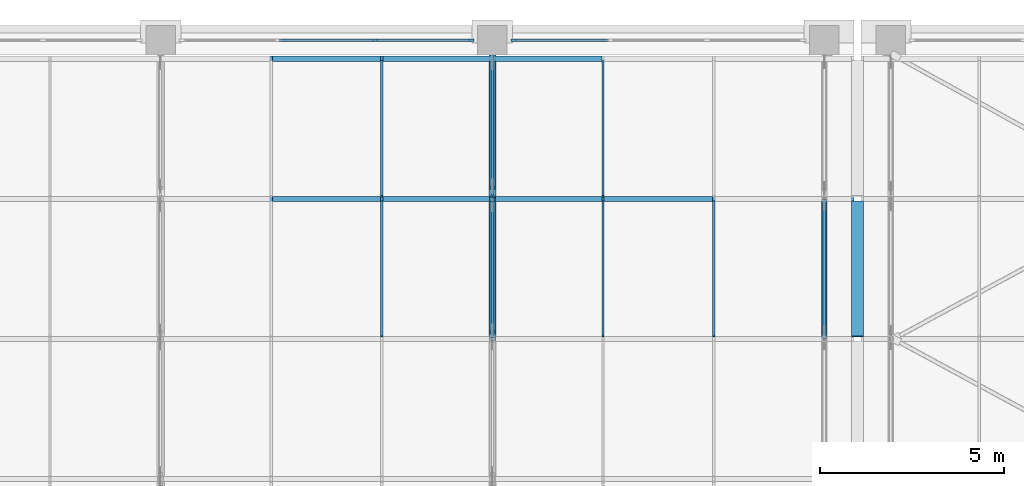
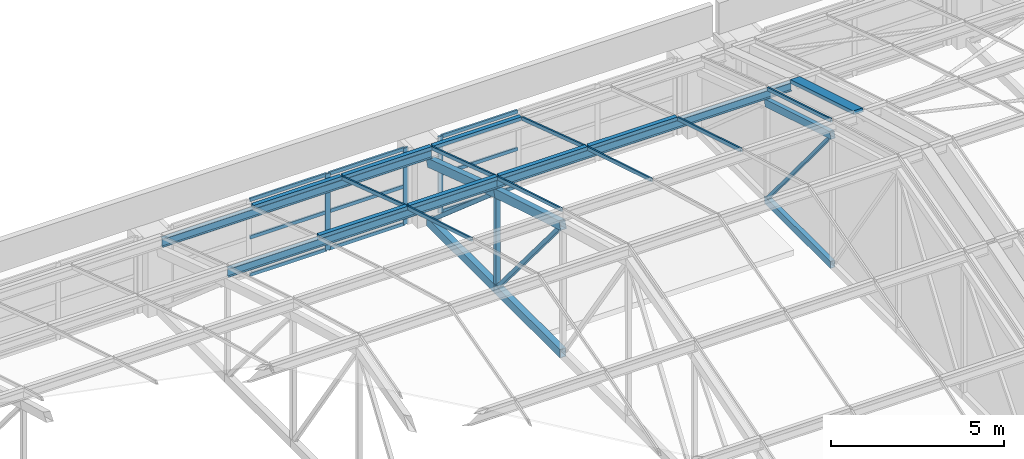
# One storey, part 27 of 82: 41 members, 3 elements without a shape of their own.
"""IFC4 building model written with IfcOpenShell, lengths in metres."""

import ifcopenshell
import ifcopenshell.guid

model = None  # the IFC model being written
_history = None  # IfcOwnerHistory: only IFC2X3 demands one
_inside = {}  # id of a spatial element -> (the spatial element, [elements in it])
_under = {}  # id of a project, library or spatial element -> (it, [spatial elements below it])
_declared = {}  # id of a project -> (the project, [libraries it declares])
_typed = {}  # id of a type object -> (the type object, [elements of that type])
_made_of = {}  # id of a material, layer set ... -> (it, [elements and type objects made of it])


def new_model(schema):
    """Start an empty IFC model of exactly this schema.

    Asked for "IFC4X3", IfcOpenShell would pick the latest addendum, in which some entities
    have other attributes; the version numbers below select the first issue.
    IFC2X3 requires an IfcOwnerHistory on every rooted entity: one is made here for all.
    """
    global model, _history
    if schema == "IFC4X3":
        model = ifcopenshell.file(schema_version=(4, 3, 0, 0))
    else:
        model = ifcopenshell.file(schema=schema)
    _inside.clear()
    _under.clear()
    _declared.clear()
    _typed.clear()
    _made_of.clear()
    _history = None
    if model.schema == "IFC2X3":
        org = make("IfcOrganization", Name="unknown")
        user = make(
            "IfcPersonAndOrganization",
            ThePerson=make("IfcPerson", FamilyName="unknown"),
            TheOrganization=org,
        )
        app = make(
            "IfcApplication",
            ApplicationDeveloper=org,
            Version="unknown",
            ApplicationFullName="unknown",
            ApplicationIdentifier="unknown",
        )
        _history = make(
            "IfcOwnerHistory",
            OwningUser=user,
            OwningApplication=app,
            ChangeAction="ADDED",
            CreationDate=0,
        )
    return model


def make(cls, **values):
    """One entity of the class cls with the attributes given. An attribute that is None is left unset."""
    return model.create_entity(
        cls, **{name: value for name, value in values.items() if value is not None}
    )


def rooted(cls, **values):
    """An entity with a GlobalId (a new one), such as an element, a storey or a relation."""
    return make(cls, GlobalId=ifcopenshell.guid.new(), OwnerHistory=_history, **values)


def si_unit(unit_type, name, prefix=None):
    """IfcSIUnit, for example si_unit("LENGTHUNIT", "METRE", prefix="MILLI")."""
    return make("IfcSIUnit", UnitType=unit_type, Prefix=prefix, Name=name)


def assignment(units):
    """IfcUnitAssignment: the units of a project."""
    return None if units is None else make("IfcUnitAssignment", Units=units)


def point(xyz):
    """IfcCartesianPoint."""
    return None if xyz is None else make("IfcCartesianPoint", Coordinates=xyz)


def direction(xyz):
    """IfcDirection."""
    return None if xyz is None else make("IfcDirection", DirectionRatios=xyz)


def frame(location, z_axis=None, x_axis=None):
    """IfcAxis2Placement3D, a coordinate frame: its origin and axes. An axis left out is left unset."""
    return make(
        "IfcAxis2Placement3D",
        Location=point(location),
        Axis=direction(z_axis),
        RefDirection=direction(x_axis),
    )


def frame_2d(location, x_axis=None):
    """IfcAxis2Placement2D, a coordinate frame in the plane: its origin and x axis."""
    return make(
        "IfcAxis2Placement2D", Location=point(location), RefDirection=direction(x_axis)
    )


def origin():
    """The frame at (0, 0, 0) with its axes left unset."""
    return frame((0.0, 0.0, 0.0))


def origin_2d():
    """The frame at (0, 0) in the plane with its x axis left unset."""
    return frame_2d((0.0, 0.0))


def place(relative_to, where):
    """IfcLocalPlacement: puts the frame where relative to a parent placement (None: the world)."""
    return make(
        "IfcLocalPlacement", PlacementRelTo=relative_to, RelativePlacement=where
    )


def context(
    kind, dimensions, precision=None, world=None, true_north=None, identifier=None
):
    """IfcGeometricRepresentationContext, for example the 3D "Model" context."""
    return make(
        "IfcGeometricRepresentationContext",
        ContextIdentifier=identifier,
        ContextType=kind,
        CoordinateSpaceDimension=dimensions,
        Precision=precision,
        WorldCoordinateSystem=world,
        TrueNorth=true_north,
    )


def subcontext(parent, identifier, kind, view, scale=None):
    """IfcGeometricRepresentationSubContext, for example "Body" below "Model"."""
    return make(
        "IfcGeometricRepresentationSubContext",
        ContextIdentifier=identifier,
        ContextType=kind,
        ParentContext=parent,
        TargetScale=scale,
        TargetView=view,
    )


def project(units=None, contexts=None):
    """IfcProject with its units and contexts."""
    return rooted(
        "IfcProject",
        Name="project",
        RepresentationContexts=contexts,
        UnitsInContext=assignment(units),
    )


def spatial(cls, under=None, at=None, **own):
    """A site, building, storey or space (cls), placed at a placement, below another one or the project."""
    s = rooted(cls, ObjectPlacement=at, **own)
    if under is not None:
        _under.setdefault(under.id(), (under, []))[1].append(s)
    return s


def profile(cls, at=None, kind="AREA", **sizes):
    """A parametric profile (cls). Its sizes go by their IFC names, for example OverallWidth=200.0."""
    return make(cls, ProfileType=kind, Position=at, **sizes)


def rectangle(**sizes):
    """IfcRectangleProfileDef."""
    return profile("IfcRectangleProfileDef", **sizes)


def hollow_rectangle(**sizes):
    """IfcRectangleHollowProfileDef."""
    return profile("IfcRectangleHollowProfileDef", **sizes)


def i_section(**sizes):
    """IfcIShapeProfileDef."""
    return profile("IfcIShapeProfileDef", **sizes)


def extrude(swept, where, along, depth):
    """IfcExtrudedAreaSolid: the profile swept, set in the frame where, extruded along a direction by depth."""
    return make(
        "IfcExtrudedAreaSolid",
        SweptArea=swept,
        Position=where,
        ExtrudedDirection=direction(along),
        Depth=depth,
    )


def shape(context_of_items, identifier, shape_type, items):
    """IfcShapeRepresentation: the items that make up one representation, for example the "Body"."""
    return make(
        "IfcShapeRepresentation",
        ContextOfItems=context_of_items,
        RepresentationIdentifier=identifier,
        RepresentationType=shape_type,
        Items=items,
    )


def material(Name=None, Category=None):
    """IfcMaterial."""
    return make("IfcMaterial", Name=Name, Category=Category)


def material_profile(
    of_material, cross_section, Name=None, Category=None, Priority=None
):
    """IfcMaterialProfile: a cross section and its material."""
    return make(
        "IfcMaterialProfile",
        Name=Name,
        Material=of_material,
        Profile=cross_section,
        Priority=Priority,
        Category=Category,
    )


def profile_set(profiles, Name=None, composite=None):
    """IfcMaterialProfileSet."""
    return make(
        "IfcMaterialProfileSet",
        Name=Name,
        MaterialProfiles=profiles,
        CompositeProfile=composite,
    )


def made_of(thing, what):
    """Note that an element or type object is made of a material, layer set ...; save() writes the relation."""
    if what is not None:
        _made_of.setdefault(what.id(), (what, []))[1].append(thing)
    return thing


def type_object(cls, material=None, **own):
    """A type object (cls), such as IfcWallType, which elements share."""
    return made_of(rooted(cls, **own), material)


def element(
    cls,
    number,
    at=None,
    inside=None,
    cuts=None,
    type_object=None,
    material=None,
    context=None,
    identifier="Body",
    shape_type=None,
    held_by="IfcProductDefinitionShape",
    body=None,
    shapes=None,
    **own,
):
    """One element of the class cls, such as IfcWall. Its Tag is "e" and its number.

    at: its placement. inside: the storey or other place that contains it. cuts: it is an
    opening in that element (IfcRelVoidsElement). A single representation is given by context,
    identifier, shape_type and body (its items); several are given by shapes. held_by: the class
    of the entity that holds the representations. save() writes the other relations.
    """
    e = rooted(cls, Tag="e%d" % number, ObjectPlacement=at, **own)
    if body is not None:
        shapes = [shape(context, identifier, shape_type, body)]
    if shapes is not None:
        e.Representation = make(held_by, Representations=shapes)
    if inside is not None:
        _inside.setdefault(inside.id(), (inside, []))[1].append(e)
    if cuts is not None:
        rooted(
            "IfcRelVoidsElement", RelatingBuildingElement=cuts, RelatedOpeningElement=e
        )
    if type_object is not None:
        _typed.setdefault(type_object.id(), (type_object, []))[1].append(e)
    return made_of(e, material)


def aggregate(whole, parts):
    """IfcRelAggregates: a whole, such as a stair, and the parts it consists of."""
    return rooted("IfcRelAggregates", RelatingObject=whole, RelatedObjects=parts)


def save(model, path):
    """Write the relations noted so far, then the file.

    IfcRelAggregates (storeys below a building ...), IfcRelContainedInSpatialStructure (elements
    in a storey), IfcRelDefinesByType, IfcRelAssociatesMaterial and IfcRelDeclares: one each for
    every whole, place, type object, material and project.
    """
    for whole, parts in _under.values():
        aggregate(whole, parts)
    for where, things in _inside.values():
        rooted(
            "IfcRelContainedInSpatialStructure",
            RelatedElements=things,
            RelatingStructure=where,
        )
    for kind, things in _typed.values():
        rooted("IfcRelDefinesByType", RelatedObjects=things, RelatingType=kind)
    for what, things in _made_of.values():
        rooted("IfcRelAssociatesMaterial", RelatedObjects=things, RelatingMaterial=what)
    for by, libraries in _declared.values():
        rooted("IfcRelDeclares", RelatingContext=by, RelatedDefinitions=libraries)
    model.write(path)


model = new_model("IFC4")

# Units and contexts
model_context = context("Model", 3, precision=1e-05, world=origin(), true_north=direction((0.0, 1.0)))
body_context = subcontext(model_context, "Body", "Model", "MODEL_VIEW")
ifc_project = project(units=[si_unit("LENGTHUNIT", "METRE"), si_unit("AREAUNIT", "SQUARE_METRE"), si_unit("VOLUMEUNIT", "CUBIC_METRE"), si_unit("PLANEANGLEUNIT", "RADIAN"), si_unit("MASSUNIT", "GRAM", prefix="KILO")], contexts=[model_context])

# Site, building, storey
site_placement = place(None, origin())
site = spatial("IfcSite", under=ifc_project, at=site_placement, CompositionType="ELEMENT")
building_placement = place(site_placement, origin())
building = spatial("IfcBuilding", under=site, at=building_placement, Name="Aravalli Gate Trade Fair Centre", CompositionType="ELEMENT")
storey_placement = place(building_placement, frame((0.0, 0.0, 19.199951171875)))
storey = spatial("IfcBuildingStorey", under=building, at=storey_placement, Name="L04", CompositionType="ELEMENT", Elevation=19.199951171875)

# Curtain wall, members
ifc_material_1 = material(Name="Aluminium and glass", Category="aluminium")
curtain_wall_type_1 = type_object("IfcCurtainWallType", Name="Curtain wall 3000 module", PredefinedType="NOTDEFINED", material=ifc_material_1)
curtain_wall_1_placement = place(storey_placement, origin())
curtain_wall_1 = element("IfcCurtainWall", 1, at=curtain_wall_1_placement, inside=storey, type_object=curtain_wall_type_1, Name="Curtain wall north bay 10 L04", PredefinedType="NOTDEFINED")
ifc_material_2 = material(Name="Aluminium", Category="aluminium")
ifc_material_profile_1 = material_profile(ifc_material_2, rectangle(XDim=0.06005859375, YDim=0.159912109375, at=origin_2d()), Name="Concourse curtain wall mullion 60 x 160")
ifc_profile_set_1 = profile_set([ifc_material_profile_1], Name="Aluminium")
member_type_1 = type_object("IfcMemberType", Name="Concourse curtain wall mullion 60 x 160", PredefinedType="MULLION", material=ifc_profile_set_1)
member_1_placement = place(storey_placement, frame((92.816650390625, 133.0, 0.0), z_axis=(0.0, 0.0, 1.0), x_axis=(0.0, 1.0, 0.0)))
member_1 = element("IfcMember", 2, at=member_1_placement, type_object=member_type_1, Name="CW1 mullion 3", PredefinedType="MULLION", context=body_context, shape_type="SweptSolid", body=[
    extrude(rectangle(XDim=0.06005859375, YDim=0.159912109375, at=origin_2d()), origin(), (0.0, 0.0, 1.0), 2.699951171875),
])
member_2_placement = place(storey_placement, frame((95.419921875, 133.0, 0.0), z_axis=(0.0, 0.0, 1.0), x_axis=(0.0, 1.0, 0.0)))
member_2 = element("IfcMember", 3, at=member_2_placement, type_object=member_type_1, Name="CW1 mullion 4", PredefinedType="MULLION", context=body_context, shape_type="SweptSolid", body=[
    extrude(rectangle(XDim=0.06005859375, YDim=0.159912109375, at=origin_2d()), origin(), (0.0, 0.0, 1.0), 2.699951171875),
])

# Curtain wall, member
curtain_wall_2_placement = place(storey_placement, origin())
curtain_wall_2 = element("IfcCurtainWall", 4, at=curtain_wall_2_placement, inside=storey, type_object=curtain_wall_type_1, Name="Curtain wall north bay 11 L04", PredefinedType="NOTDEFINED")
member_3_placement = place(storey_placement, frame((96.580078125, 133.0, 0.0), z_axis=(0.0, 0.0, 1.0), x_axis=(0.0, 1.0, 0.0)))
member_3 = element("IfcMember", 5, at=member_3_placement, type_object=member_type_1, Name="CW1 mullion 1", PredefinedType="MULLION", context=body_context, shape_type="SweptSolid", body=[
    extrude(rectangle(XDim=0.06005859375, YDim=0.159912109375, at=origin_2d()), origin(), (0.0, 0.0, 1.0), 2.699951171875),
])

# Member
ifc_material_profile_2 = material_profile(ifc_material_2, rectangle(XDim=0.06005859375, YDim=0.1201171875, at=origin_2d()), Name="Concourse curtain wall transom 60 x 120")
ifc_profile_set_2 = profile_set([ifc_material_profile_2], Name="Aluminium")
member_type_2 = type_object("IfcMemberType", Name="Concourse curtain wall transom 60 x 120", PredefinedType="USERDEFINED", material=ifc_profile_set_2)
member_4_placement = place(storey_placement, frame((90.21337890625, 133.0, 0.030029296875), z_axis=(1.0, 0.0, 0.0), x_axis=(0.0, 1.0, 0.0)))
member_4 = element("IfcMember", 6, at=member_4_placement, type_object=member_type_2, Name="CW1 transom 2.1", ObjectType="TRANSOM", PredefinedType="USERDEFINED", context=body_context, shape_type="SweptSolid", body=[
    extrude(rectangle(XDim=0.06005859375, YDim=0.1201171875, at=origin_2d()), origin(), (0.0, 0.0, 1.0), 2.5732421875),
])

member_5_placement = place(storey_placement, frame((90.21337890625, 133.0, 1.35009765625), z_axis=(1.0, 0.0, 0.0), x_axis=(0.0, 1.0, 0.0)))
member_5 = element("IfcMember", 7, at=member_5_placement, type_object=member_type_2, Name="CW1 transom 2.2", ObjectType="TRANSOM", PredefinedType="USERDEFINED", context=body_context, shape_type="SweptSolid", body=[
    extrude(rectangle(XDim=0.06005859375, YDim=0.1201171875, at=origin_2d()), origin(), (0.0, 0.0, 1.0), 2.5732421875),
])

member_6_placement = place(storey_placement, frame((90.21337890625, 133.0, 2.670166015625), z_axis=(1.0, 0.0, 0.0), x_axis=(0.0, 1.0, 0.0)))
member_6 = element("IfcMember", 8, at=member_6_placement, type_object=member_type_2, Name="CW1 transom 2.3", ObjectType="TRANSOM", PredefinedType="USERDEFINED", context=body_context, shape_type="SweptSolid", body=[
    extrude(rectangle(XDim=0.06005859375, YDim=0.1201171875, at=origin_2d()), origin(), (0.0, 0.0, 1.0), 2.5732421875),
])

member_7_placement = place(storey_placement, frame((92.8466796875, 133.0, 0.030029296875), z_axis=(1.0, 0.0, 0.0), x_axis=(0.0, 1.0, 0.0)))
member_7 = element("IfcMember", 9, at=member_7_placement, type_object=member_type_2, Name="CW1 transom 3.1", ObjectType="TRANSOM", PredefinedType="USERDEFINED", context=body_context, shape_type="SweptSolid", body=[
    extrude(rectangle(XDim=0.06005859375, YDim=0.1201171875, at=origin_2d()), origin(), (0.0, 0.0, 1.0), 2.543212890625),
])

member_8_placement = place(storey_placement, frame((92.8466796875, 133.0, 1.35009765625), z_axis=(1.0, 0.0, 0.0), x_axis=(0.0, 1.0, 0.0)))
member_8 = element("IfcMember", 10, at=member_8_placement, type_object=member_type_2, Name="CW1 transom 3.2", ObjectType="TRANSOM", PredefinedType="USERDEFINED", context=body_context, shape_type="SweptSolid", body=[
    extrude(rectangle(XDim=0.06005859375, YDim=0.1201171875, at=origin_2d()), origin(), (0.0, 0.0, 1.0), 2.543212890625),
])

member_9_placement = place(storey_placement, frame((92.8466796875, 133.0, 2.670166015625), z_axis=(1.0, 0.0, 0.0), x_axis=(0.0, 1.0, 0.0)))
member_9 = element("IfcMember", 11, at=member_9_placement, type_object=member_type_2, Name="CW1 transom 3.3", ObjectType="TRANSOM", PredefinedType="USERDEFINED", context=body_context, shape_type="SweptSolid", body=[
    extrude(rectangle(XDim=0.06005859375, YDim=0.1201171875, at=origin_2d()), origin(), (0.0, 0.0, 1.0), 2.543212890625),
])

aggregate(curtain_wall_1, [member_1, member_2, member_4, member_5, member_6, member_7, member_8, member_9])

member_10_placement = place(storey_placement, frame((96.610107421875, 133.0, 0.030029296875), z_axis=(1.0, 0.0, 0.0), x_axis=(0.0, 1.0, 0.0)))
member_10 = element("IfcMember", 12, at=member_10_placement, type_object=member_type_2, Name="CW1 transom 1.1", ObjectType="TRANSOM", PredefinedType="USERDEFINED", context=body_context, shape_type="SweptSolid", body=[
    extrude(rectangle(XDim=0.06005859375, YDim=0.1201171875, at=origin_2d()), origin(), (0.0, 0.0, 1.0), 2.543212890625),
])

member_11_placement = place(storey_placement, frame((96.610107421875, 133.0, 1.35009765625), z_axis=(1.0, 0.0, 0.0), x_axis=(0.0, 1.0, 0.0)))
member_11 = element("IfcMember", 13, at=member_11_placement, type_object=member_type_2, Name="CW1 transom 1.2", ObjectType="TRANSOM", PredefinedType="USERDEFINED", context=body_context, shape_type="SweptSolid", body=[
    extrude(rectangle(XDim=0.06005859375, YDim=0.1201171875, at=origin_2d()), origin(), (0.0, 0.0, 1.0), 2.543212890625),
])

member_12_placement = place(storey_placement, frame((96.610107421875, 133.0, 2.670166015625), z_axis=(1.0, 0.0, 0.0), x_axis=(0.0, 1.0, 0.0)))
member_12 = element("IfcMember", 14, at=member_12_placement, type_object=member_type_2, Name="CW1 transom 1.3", ObjectType="TRANSOM", PredefinedType="USERDEFINED", context=body_context, shape_type="SweptSolid", body=[
    extrude(rectangle(XDim=0.06005859375, YDim=0.1201171875, at=origin_2d()), origin(), (0.0, 0.0, 1.0), 2.543212890625),
])

aggregate(curtain_wall_2, [member_3, member_10, member_11, member_12])

# Members
ifc_material_3 = material(Name="Steel E350", Category="steel")
ifc_material_profile_3 = material_profile(ifc_material_3, i_section(OverallWidth=0.139892578125, OverallDepth=0.300048828125, WebThickness=0.0078125, FlangeThickness=0.01318359375, at=origin_2d()), Name="ISMB 300")
ifc_profile_set_3 = profile_set([ifc_material_profile_3], Name="Steel E350")
member_type_3 = type_object("IfcMemberType", Name="ISMB 300 roof purlin", PredefinedType="PURLIN", material=ifc_profile_set_3)
for number, where, z_axis, x_axis, name in (
    (15, (87.0, 128.699951171875, 3.851318359375), (1.0, 0.0, 0.0), (0.0, 1.0, 0.0), "Vault purlin 10-11 F5"),
    (16, (87.0, 132.5, 2.60302734375), (1.0, 0.0, 0.0), (0.0, 1.0, 0.0), "Vault purlin 10-11 F6"),
):
    element("IfcMember", number, at=place(storey_placement, frame(where, z_axis=z_axis, x_axis=x_axis)), inside=storey, type_object=member_type_3, Name=name, PredefinedType="PURLIN", context=body_context, shape_type="SweptSolid", body=[
        extrude(i_section(OverallWidth=0.139892578125, OverallDepth=0.300048828125, WebThickness=0.0078125, FlangeThickness=0.01318359375, at=origin_2d()), origin(), (0.0, 0.0, 1.0), 9.0),
    ])
member_13_placement = place(storey_placement, frame((96.0, 128.699951171875, 3.851318359375), z_axis=(1.0, 0.0, 0.0), x_axis=(0.0, 1.0, 0.0)))
element("IfcMember", 17, at=member_13_placement, inside=storey, type_object=member_type_3, Name="Vault purlin 11-12 F5", PredefinedType="PURLIN", context=body_context, shape_type="SweptSolid", body=[
    extrude(i_section(OverallWidth=0.139892578125, OverallDepth=0.300048828125, WebThickness=0.0078125, FlangeThickness=0.01318359375, at=origin_2d()), origin(), (0.0, 0.0, 1.0), 9.800048828125),
])
ifc_material_profile_4 = material_profile(ifc_material_3, hollow_rectangle(XDim=0.14990234375, YDim=0.25, WallThickness=0.010009765625, at=origin_2d()), Name="RHS 250x150x10")
ifc_profile_set_4 = profile_set([ifc_material_profile_4], Name="Steel E350")
member_type_4 = type_object("IfcMemberType", Name="RHS 250x150x10 CT2 truss chord", PredefinedType="CHORD", material=ifc_profile_set_4)
member_14_placement = place(storey_placement, frame((105.0, 124.89990234375, 4.699462890625), z_axis=(0.0, 0.957138110877, -0.289631898634), x_axis=(-1.0, 0.0, 0.0)))
element("IfcMember", 18, at=member_14_placement, inside=storey, type_object=member_type_4, Name="Concourse vault truss CT2 line 12 top chord T5", PredefinedType="CHORD", context=body_context, shape_type="SweptSolid", body=[
    extrude(hollow_rectangle(XDim=0.14990234375, YDim=0.25, WallThickness=0.010009765625, at=origin_2d()), origin(), (0.0, 0.0, 1.0), 3.97021484375),
])
member_15_placement = place(storey_placement, frame((105.0, 124.89990234375, 0.125), z_axis=(0.0, 1.0, 0.0), x_axis=(-1.0, 0.0, 0.0)))
element("IfcMember", 19, at=member_15_placement, inside=storey, type_object=member_type_4, Name="Concourse vault truss CT2 line 12 bottom chord B5", PredefinedType="CHORD", context=body_context, shape_type="SweptSolid", body=[
    extrude(hollow_rectangle(XDim=0.14990234375, YDim=0.25, WallThickness=0.010009765625, at=origin_2d()), origin(), (0.0, 0.0, 1.0), 3.800048828125),
])
ifc_material_profile_5 = material_profile(ifc_material_3, hollow_rectangle(XDim=0.199951171875, YDim=0.300048828125, WallThickness=0.011962890625, at=origin_2d()), Name="RHS 300x200x12")
ifc_profile_set_5 = profile_set([ifc_material_profile_5], Name="Steel E350")
member_type_5 = type_object("IfcMemberType", Name="RHS 300x200x12 CT1 truss chord", PredefinedType="CHORD", material=ifc_profile_set_5)
member_16_placement = place(storey_placement, frame((96.0, 124.89990234375, 4.67333984375), z_axis=(0.0, 0.957138110877, -0.289631898634), x_axis=(-1.0, 0.0, 0.0)))
element("IfcMember", 20, at=member_16_placement, inside=storey, type_object=member_type_5, Name="Concourse vault truss CT1 line 11 top chord T5", PredefinedType="CHORD", context=body_context, shape_type="SweptSolid", body=[
    extrude(hollow_rectangle(XDim=0.199951171875, YDim=0.300048828125, WallThickness=0.011962890625, at=origin_2d()), origin(), (0.0, 0.0, 1.0), 3.97021484375),
])
member_17_placement = place(storey_placement, frame((96.0, 124.89990234375, 0.150146484375), z_axis=(0.0, 1.0, 0.0), x_axis=(-1.0, 0.0, 0.0)))
element("IfcMember", 21, at=member_17_placement, inside=storey, type_object=member_type_5, Name="Concourse vault truss CT1 line 11 bottom chord B5", PredefinedType="CHORD", context=body_context, shape_type="SweptSolid", body=[
    extrude(hollow_rectangle(XDim=0.199951171875, YDim=0.300048828125, WallThickness=0.011962890625, at=origin_2d()), origin(), (0.0, 0.0, 1.0), 3.800048828125),
])
member_18_placement = place(storey_placement, frame((96.0, 128.699951171875, 3.522216796875), z_axis=(0.0, 0.949924628731, -0.312479118872), x_axis=(-1.0, 0.0, 0.0)))
element("IfcMember", 22, at=member_18_placement, inside=storey, type_object=member_type_5, Name="Concourse vault truss CT1 line 11 top chord T6", PredefinedType="CHORD", context=body_context, shape_type="SweptSolid", body=[
    extrude(hollow_rectangle(XDim=0.199951171875, YDim=0.300048828125, WallThickness=0.011962890625, at=origin_2d()), origin(), (0.0, 0.0, 1.0), 4.105712890625),
])
member_19_placement = place(storey_placement, frame((96.0, 128.699951171875, 0.150146484375), z_axis=(0.0, 1.0, 0.0), x_axis=(-1.0, 0.0, 0.0)))
element("IfcMember", 23, at=member_19_placement, inside=storey, type_object=member_type_5, Name="Concourse vault truss CT1 line 11 bottom chord B6", PredefinedType="CHORD", context=body_context, shape_type="SweptSolid", body=[
    extrude(hollow_rectangle(XDim=0.199951171875, YDim=0.300048828125, WallThickness=0.011962890625, at=origin_2d()), origin(), (0.0, 0.0, 1.0), 3.900146484375),
])
ifc_material_profile_6 = material_profile(ifc_material_3, hollow_rectangle(XDim=0.10009765625, YDim=0.10009765625, WallThickness=0.006103515625, at=origin_2d()), Name="SHS 100x100x6")
ifc_profile_set_6 = profile_set([ifc_material_profile_6], Name="Steel E350")
member_type_6 = type_object("IfcMemberType", Name="SHS 100x100x6 CT2 truss diagonal", PredefinedType="BRACE", material=ifc_profile_set_6)
member_20_placement = place(storey_placement, frame((105.0, 125.044921875, 4.52490234375), z_axis=(0.0, 0.638999701162, -0.769206982493), x_axis=(-1.0, 0.0, 0.0)))
element("IfcMember", 24, at=member_20_placement, inside=storey, type_object=member_type_6, Name="Concourse vault truss CT2 line 12 diagonal D5", PredefinedType="BRACE", context=body_context, shape_type="SweptSolid", body=[
    extrude(hollow_rectangle(XDim=0.10009765625, YDim=0.10009765625, WallThickness=0.006103515625, at=origin_2d()), origin(), (0.0, 0.0, 1.0), 5.5576171875),
])
ifc_material_profile_7 = material_profile(ifc_material_3, hollow_rectangle(XDim=0.125, YDim=0.125, WallThickness=0.006103515625, at=origin_2d()), Name="SHS 125x125x6")
ifc_profile_set_7 = profile_set([ifc_material_profile_7], Name="Steel E350")
member_type_7 = type_object("IfcMemberType", Name="SHS 125x125x6 CT1 truss diagonal", PredefinedType="BRACE", material=ifc_profile_set_7)
member_21_placement = place(storey_placement, frame((96.0, 125.076416015625, 4.463134765625), z_axis=(0.0, 0.643253159982, -0.765653558845), x_axis=(-1.0, 0.0, 0.0)))
element("IfcMember", 25, at=member_21_placement, inside=storey, type_object=member_type_7, Name="Concourse vault truss CT1 line 11 diagonal D5", PredefinedType="BRACE", context=body_context, shape_type="SweptSolid", body=[
    extrude(hollow_rectangle(XDim=0.125, YDim=0.125, WallThickness=0.006103515625, at=origin_2d()), origin(), (0.0, 0.0, 1.0), 5.437255859375),
])
member_22_placement = place(storey_placement, frame((96.0, 128.994873046875, 3.267333984375), z_axis=(0.0, 0.756430814482, -0.654073713661), x_axis=(-1.0, 0.0, 0.0)))
element("IfcMember", 26, at=member_22_placement, inside=storey, type_object=member_type_7, Name="Concourse vault truss CT1 line 11 diagonal D6", PredefinedType="BRACE", context=body_context, shape_type="SweptSolid", body=[
    extrude(hollow_rectangle(XDim=0.125, YDim=0.125, WallThickness=0.006103515625, at=origin_2d()), origin(), (0.0, 0.0, 1.0), 4.53662109375),
])
ifc_material_profile_8 = material_profile(ifc_material_3, hollow_rectangle(XDim=0.14990234375, YDim=0.14990234375, WallThickness=0.006103515625, at=origin_2d()), Name="SHS 150x150x6")
ifc_profile_set_8 = profile_set([ifc_material_profile_8], Name="Steel E350")
member_type_8 = type_object("IfcMemberType", Name="SHS 150x150x6 CT1 truss post", PredefinedType="POST", material=ifc_profile_set_8)
member_23_placement = place(storey_placement, frame((96.0, 128.699951171875, 0.300048828125), z_axis=(0.0, 0.0, 1.0), x_axis=(1.0, 0.0, 0.0)))
element("IfcMember", 27, at=member_23_placement, inside=storey, type_object=member_type_8, Name="Concourse vault truss CT1 line 11 post V5", PredefinedType="POST", context=body_context, shape_type="SweptSolid", body=[
    extrude(hollow_rectangle(XDim=0.14990234375, YDim=0.14990234375, WallThickness=0.006103515625, at=origin_2d()), origin(), (0.0, 0.0, 1.0), 3.064208984375),
])
ifc_material_profile_9 = material_profile(ifc_material_2, rectangle(XDim=0.139892578125, YDim=0.1201171875, at=origin_2d()), Name="Vault fold cap 140 x 120")
ifc_profile_set_9 = profile_set([ifc_material_profile_9], Name="Aluminium")
member_type_9 = type_object("IfcMemberType", Name="Vault fold cap 140 x 120", PredefinedType="USERDEFINED", material=ifc_profile_set_9)
for number, where, z_axis, x_axis, name in (
    (28, (90.030029296875, 128.699951171875, 4.061279296875), (1.0, 0.0, 0.0), (0.0, 1.0, 0.0), "Vault fold cap w26.5"),
    (29, (90.030029296875, 132.5, 2.81298828125), (1.0, 0.0, 0.0), (0.0, 1.0, 0.0), "Vault fold cap w26.6"),
    (30, (93.030029296875, 128.699951171875, 4.061279296875), (1.0, 0.0, 0.0), (0.0, 1.0, 0.0), "Vault fold cap w27.5"),
    (31, (93.030029296875, 132.5, 2.81298828125), (1.0, 0.0, 0.0), (0.0, 1.0, 0.0), "Vault fold cap w27.6"),
    (32, (96.030029296875, 128.699951171875, 4.061279296875), (1.0, 0.0, 0.0), (0.0, 1.0, 0.0), "Vault fold cap w28.5"),
    (33, (96.030029296875, 132.5, 2.81298828125), (1.0, 0.0, 0.0), (0.0, 1.0, 0.0), "Vault fold cap w28.6"),
    (34, (99.030029296875, 128.699951171875, 4.061279296875), (1.0, 0.0, 0.0), (0.0, 1.0, 0.0), "Vault fold cap w29.5"),
):
    element("IfcMember", number, at=place(storey_placement, frame(where, z_axis=z_axis, x_axis=x_axis)), inside=storey, type_object=member_type_9, Name=name, ObjectType="FOLD CAP", PredefinedType="USERDEFINED", context=body_context, shape_type="SweptSolid", body=[
        extrude(rectangle(XDim=0.139892578125, YDim=0.1201171875, at=origin_2d()), origin(), (0.0, 0.0, 1.0), 2.93994140625),
    ])

# Curtain wall, members
curtain_wall_type_2 = type_object("IfcCurtainWallType", Name="Vault curtain wall, sloped glazing", PredefinedType="NOTDEFINED", material=ifc_material_1)
curtain_wall_3_placement = place(storey_placement, origin())
curtain_wall_3 = element("IfcCurtainWall", 35, at=curtain_wall_3_placement, inside=storey, type_object=curtain_wall_type_2, Name="Vault curtain wall w", PredefinedType="NOTDEFINED")
ifc_material_profile_10 = material_profile(ifc_material_2, rectangle(XDim=0.06005859375, YDim=0.1201171875, at=origin_2d()), Name="Vault glazing bar 60 x 120")
ifc_profile_set_10 = profile_set([ifc_material_profile_10], Name="Aluminium")
member_type_10 = type_object("IfcMemberType", Name="Vault glazing bar 60 x 120", PredefinedType="USERDEFINED", material=ifc_profile_set_10)
member_24_placement = place(storey_placement, frame((93.0, 124.969970703125, 5.166259765625), z_axis=(0.0, 0.957125834694, -0.289672464279), x_axis=(-1.0, 0.0, 0.0)))
member_24 = element("IfcMember", 36, at=member_24_placement, type_object=member_type_10, Name="Vault glazing bar w27.5", ObjectType="GLAZING BAR", PredefinedType="USERDEFINED", context=body_context, shape_type="SweptSolid", body=[
    extrude(rectangle(XDim=0.06005859375, YDim=0.1201171875, at=origin_2d()), origin(), (0.0, 0.0, 1.0), 3.823974609375),
])
member_25_placement = place(storey_placement, frame((93.0, 128.77001953125, 4.013916015625), z_axis=(0.0, 0.949930492103, -0.31246129388), x_axis=(-1.0, 0.0, 0.0)))
member_25 = element("IfcMember", 37, at=member_25_placement, type_object=member_type_10, Name="Vault glazing bar w27.6", ObjectType="GLAZING BAR", PredefinedType="USERDEFINED", context=body_context, shape_type="SweptSolid", body=[
    extrude(rectangle(XDim=0.06005859375, YDim=0.1201171875, at=origin_2d()), origin(), (0.0, 0.0, 1.0), 3.852783203125),
])
member_26_placement = place(storey_placement, frame((96.0, 124.969970703125, 5.166259765625), z_axis=(0.0, 0.957125834694, -0.289672464279), x_axis=(-1.0, 0.0, 0.0)))
member_26 = element("IfcMember", 38, at=member_26_placement, type_object=member_type_10, Name="Vault glazing bar w28.5", ObjectType="GLAZING BAR", PredefinedType="USERDEFINED", context=body_context, shape_type="SweptSolid", body=[
    extrude(rectangle(XDim=0.06005859375, YDim=0.1201171875, at=origin_2d()), origin(), (0.0, 0.0, 1.0), 3.823974609375),
])
member_27_placement = place(storey_placement, frame((96.0, 128.77001953125, 4.013916015625), z_axis=(0.0, 0.949930492103, -0.31246129388), x_axis=(-1.0, 0.0, 0.0)))
member_27 = element("IfcMember", 39, at=member_27_placement, type_object=member_type_10, Name="Vault glazing bar w28.6", ObjectType="GLAZING BAR", PredefinedType="USERDEFINED", context=body_context, shape_type="SweptSolid", body=[
    extrude(rectangle(XDim=0.06005859375, YDim=0.1201171875, at=origin_2d()), origin(), (0.0, 0.0, 1.0), 3.852783203125),
])
member_28_placement = place(storey_placement, frame((99.0, 124.969970703125, 5.166259765625), z_axis=(0.0, 0.957125834694, -0.289672464279), x_axis=(-1.0, 0.0, 0.0)))
member_28 = element("IfcMember", 40, at=member_28_placement, type_object=member_type_10, Name="Vault glazing bar w29.5", ObjectType="GLAZING BAR", PredefinedType="USERDEFINED", context=body_context, shape_type="SweptSolid", body=[
    extrude(rectangle(XDim=0.06005859375, YDim=0.1201171875, at=origin_2d()), origin(), (0.0, 0.0, 1.0), 3.823974609375),
])
member_29_placement = place(storey_placement, frame((99.0, 128.77001953125, 4.013916015625), z_axis=(0.0, 0.949930492103, -0.31246129388), x_axis=(-1.0, 0.0, 0.0)))
member_29 = element("IfcMember", 41, at=member_29_placement, type_object=member_type_10, Name="Vault glazing bar w29.6", ObjectType="GLAZING BAR", PredefinedType="USERDEFINED", context=body_context, shape_type="SweptSolid", body=[
    extrude(rectangle(XDim=0.06005859375, YDim=0.1201171875, at=origin_2d()), origin(), (0.0, 0.0, 1.0), 3.852783203125),
])
member_30_placement = place(storey_placement, frame((102.0, 124.969970703125, 5.166259765625), z_axis=(0.0, 0.957125834694, -0.289672464279), x_axis=(-1.0, 0.0, 0.0)))
member_30 = element("IfcMember", 42, at=member_30_placement, type_object=member_type_10, Name="Vault glazing bar w30.5", ObjectType="GLAZING BAR", PredefinedType="USERDEFINED", context=body_context, shape_type="SweptSolid", body=[
    extrude(rectangle(XDim=0.06005859375, YDim=0.1201171875, at=origin_2d()), origin(), (0.0, 0.0, 1.0), 3.823974609375),
])
member_31_placement = place(storey_placement, frame((105.0, 124.969970703125, 5.166259765625), z_axis=(0.0, 0.957125834694, -0.289672464279), x_axis=(-1.0, 0.0, 0.0)))
member_31 = element("IfcMember", 43, at=member_31_placement, type_object=member_type_10, Name="Vault glazing bar w31.5", ObjectType="GLAZING BAR", PredefinedType="USERDEFINED", context=body_context, shape_type="SweptSolid", body=[
    extrude(rectangle(XDim=0.06005859375, YDim=0.1201171875, at=origin_2d()), origin(), (0.0, 0.0, 1.0), 3.823974609375),
])
ifc_material_profile_11 = material_profile(ifc_material_2, rectangle(XDim=0.320068359375, YDim=0.1201171875, at=origin_2d()), Name="Vault joint cover bar 320 x 120")
ifc_profile_set_11 = profile_set([ifc_material_profile_11], Name="Aluminium")
member_type_11 = type_object("IfcMemberType", Name="Vault joint cover bar 320 x 120", PredefinedType="USERDEFINED", material=ifc_profile_set_11)
member_32_placement = place(storey_placement, frame((105.89990234375, 124.969970703125, 5.166259765625), z_axis=(0.0, 0.957125834694, -0.289672464279), x_axis=(-1.0, 0.0, 0.0)))
member_32 = element("IfcMember", 44, at=member_32_placement, type_object=member_type_11, Name="Vault joint cover bar J2.5", ObjectType="GLAZING BAR", PredefinedType="USERDEFINED", context=body_context, shape_type="SweptSolid", body=[
    extrude(rectangle(XDim=0.320068359375, YDim=0.1201171875, at=origin_2d()), origin(), (0.0, 0.0, 1.0), 3.823974609375),
])
aggregate(curtain_wall_3, [member_24, member_25, member_26, member_27, member_28, member_29, member_30, member_31, member_32])

save(model, "model.ifc")
